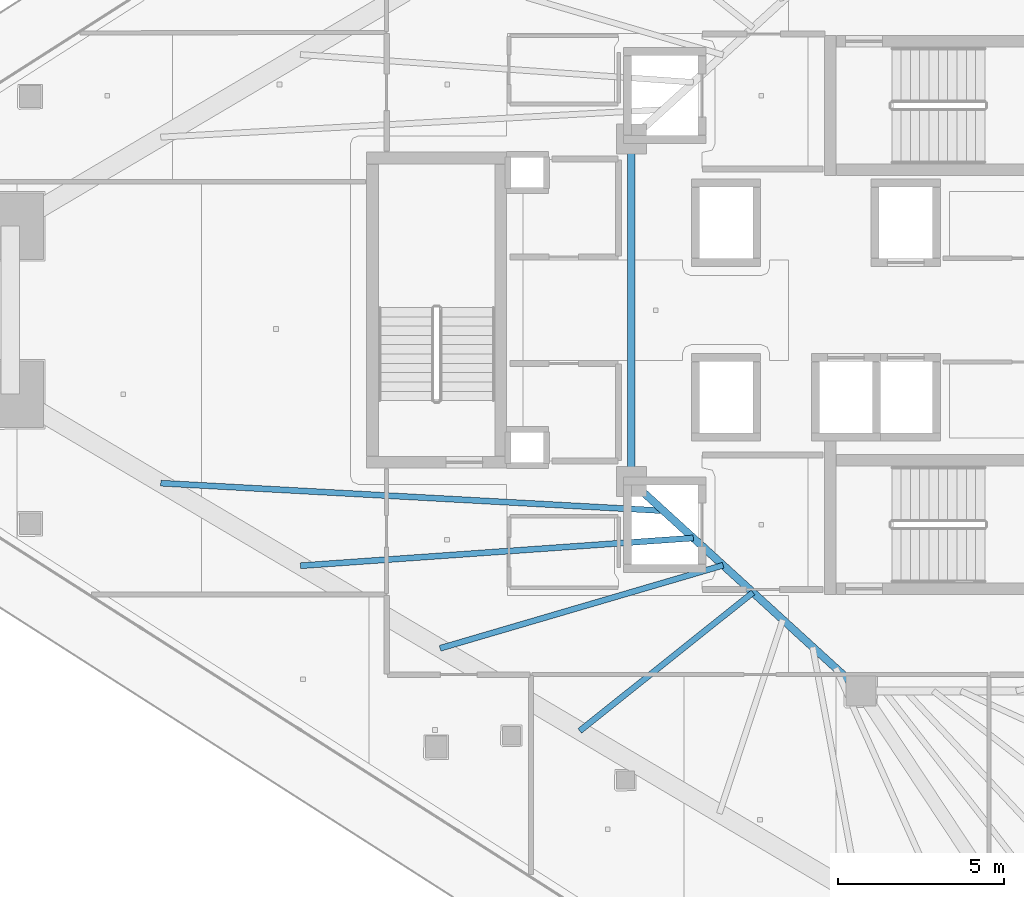
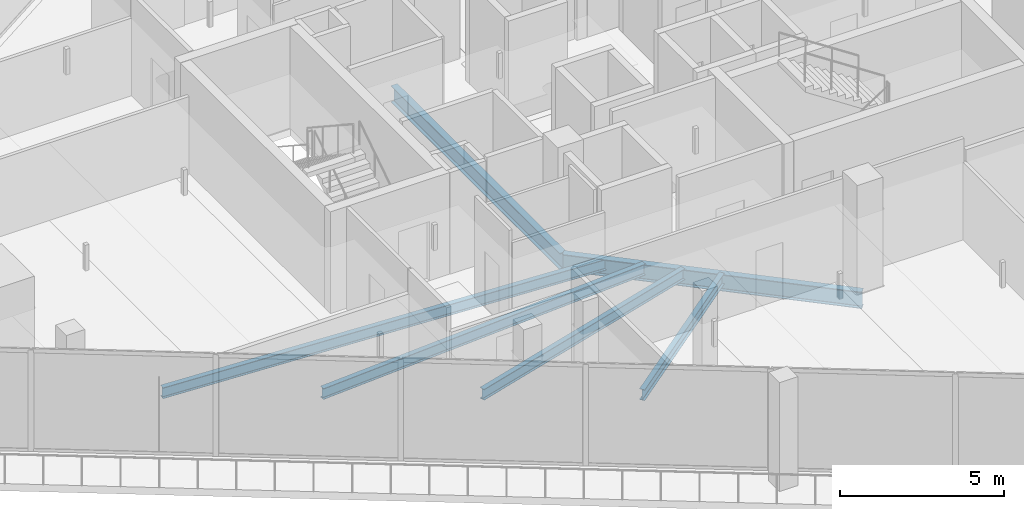
# One storey, part 8 of 37: 6 beams.
"""IFC4 building model written with IfcOpenShell, lengths in metres."""

from ifc_helpers import new_model, si_unit, direction, frame, origin, origin_2d, place, context, subcontext, project, spatial, i_section, extrude, material, material_profile, profile_set, type_object, element, save


model = new_model("IFC4")

# Units and contexts
model_context = context("Model", 3, precision=1e-05, world=origin(), true_north=direction((0.0, 1.0)))
body_context = subcontext(model_context, "Body", "Model", "MODEL_VIEW")
ifc_project = project(units=[si_unit("LENGTHUNIT", "METRE"), si_unit("AREAUNIT", "SQUARE_METRE"), si_unit("VOLUMEUNIT", "CUBIC_METRE"), si_unit("PLANEANGLEUNIT", "RADIAN"), si_unit("MASSUNIT", "GRAM", prefix="KILO")], contexts=[model_context])

# Site, building, storey
site_placement = place(None, origin())
site = spatial("IfcSite", under=ifc_project, at=site_placement, CompositionType="ELEMENT")
building_placement = place(site_placement, origin())
building = spatial("IfcBuilding", under=site, at=building_placement, Name="Qorvath Tower", CompositionType="ELEMENT")
storey_placement = place(building_placement, frame((0.0, 0.0, 196.949951171875)))
storey = spatial("IfcBuildingStorey", under=building, at=storey_placement, Name="L45", CompositionType="ELEMENT", Elevation=196.949951171875)

# Beams
ifc_material_1 = material(Name="Steel ASTM A992 Grade 50", Category="steel")
ifc_material_profile_1 = material_profile(ifc_material_1, i_section(OverallWidth=0.22998046875, OverallDepth=0.616943359375, WebThickness=0.01318359375, FlangeThickness=0.022216796875, FilletRadius=0.014892578125, at=origin_2d()), Name="W24x94")
ifc_profile_set_1 = profile_set([ifc_material_profile_1], Name="Steel ASTM A992 Grade 50")
beam_type_1 = type_object("IfcBeamType", Name="BM-FG6", PredefinedType="BEAM", material=ifc_profile_set_1)
beam_1_placement = place(storey_placement, frame((-23.60009765625, -11.449951171875, -0.57861328125), z_axis=(-0.73847813985, 0.6742774184, 0.0), x_axis=(-0.6742774184, -0.73847813985, 0.0)))
element("IfcBeam", 1, at=beam_1_placement, inside=storey, type_object=beam_type_1, Name="Core Ring Girder CC4-CC6 L45", PredefinedType="BEAM", context=body_context, shape_type="SweptSolid", body=[
    extrude(i_section(OverallWidth=0.22998046875, OverallDepth=0.616943359375, WebThickness=0.01318359375, FlangeThickness=0.022216796875, FilletRadius=0.014892578125, at=origin_2d()), origin(), (0.0, 0.0, 1.0), 9.343505859375),
])
beam_2_placement = place(storey_placement, frame((-30.5, -5.14990234375, -0.57861328125), z_axis=(0.0, 1.0, 0.0), x_axis=(-1.0, 0.0, 0.0)))
element("IfcBeam", 2, at=beam_2_placement, inside=storey, type_object=beam_type_1, Name="Core Ring Girder CC6-CC5 L45", PredefinedType="BEAM", context=body_context, shape_type="SweptSolid", body=[
    extrude(i_section(OverallWidth=0.22998046875, OverallDepth=0.616943359375, WebThickness=0.01318359375, FlangeThickness=0.022216796875, FilletRadius=0.014892578125, at=origin_2d()), origin(), (0.0, 0.0, 1.0), 10.2998046875),
])
ifc_material_2 = material(Name="Steel ASTM A992 Grade 50", Category="steel")
ifc_material_profile_2 = material_profile(ifc_material_2, i_section(OverallWidth=0.177978515625, OverallDepth=0.406005859375, WebThickness=0.0078125, FlangeThickness=0.0126953125, FilletRadius=0.010986328125, at=origin_2d()), Name="W16x40")
ifc_profile_set_2 = profile_set([ifc_material_profile_2], Name="Steel ASTM A992 Grade 50")
beam_type_2 = type_object("IfcBeamType", Name="BM-FJ3", PredefinedType="JOIST", material=ifc_profile_set_2)
beam_3_placement = place(storey_placement, frame((-29.533935546875, -6.031982421875, -0.47314453125), z_axis=(-0.998494745044, 0.054847462293, 0.0), x_axis=(-0.054847462293, -0.998494745044, 0.0)))
element("IfcBeam", 3, at=beam_3_placement, inside=storey, type_object=beam_type_2, Name="Composite Floor Joist SW1 L45", PredefinedType="JOIST", context=body_context, shape_type="SweptSolid", body=[
    extrude(i_section(OverallWidth=0.177978515625, OverallDepth=0.406005859375, WebThickness=0.0078125, FlangeThickness=0.0126953125, FilletRadius=0.010986328125, at=origin_2d()), origin(), (0.0, 0.0, 1.0), 15.138671875),
])
beam_4_placement = place(storey_placement, frame((-28.636962890625, -6.85107421875, -0.47314453125), z_axis=(-0.997520476731, -0.070376832146, 0.0), x_axis=(0.070376832146, -0.997520476731, 0.0)))
element("IfcBeam", 4, at=beam_4_placement, inside=storey, type_object=beam_type_2, Name="Composite Floor Joist SW2 L45", PredefinedType="JOIST", context=body_context, shape_type="SweptSolid", body=[
    extrude(i_section(OverallWidth=0.177978515625, OverallDepth=0.406005859375, WebThickness=0.0078125, FlangeThickness=0.0126953125, FilletRadius=0.010986328125, at=origin_2d()), origin(), (0.0, 0.0, 1.0), 11.84326171875),
])
beam_5_placement = place(storey_placement, frame((-27.739990234375, -7.669921875, -0.47314453125), z_axis=(-0.959544992264, -0.281555337049, 0.0), x_axis=(0.281555337049, -0.959544992264, 0.0)))
element("IfcBeam", 5, at=beam_5_placement, inside=storey, type_object=beam_type_2, Name="Composite Floor Joist SW3 L45", PredefinedType="JOIST", context=body_context, shape_type="SweptSolid", body=[
    extrude(i_section(OverallWidth=0.177978515625, OverallDepth=0.406005859375, WebThickness=0.0078125, FlangeThickness=0.0126953125, FilletRadius=0.010986328125, at=origin_2d()), origin(), (0.0, 0.0, 1.0), 8.87060546875),
])
beam_6_placement = place(storey_placement, frame((-26.843017578125, -8.489013671875, -0.47314453125), z_axis=(-0.781336553339, -0.624109918537, 0.0), x_axis=(0.624109918537, -0.781336553339, 0.0)))
element("IfcBeam", 6, at=beam_6_placement, inside=storey, type_object=beam_type_2, Name="Composite Floor Joist SW4 L45", PredefinedType="JOIST", context=body_context, shape_type="SweptSolid", body=[
    extrude(i_section(OverallWidth=0.177978515625, OverallDepth=0.406005859375, WebThickness=0.0078125, FlangeThickness=0.0126953125, FilletRadius=0.010986328125, at=origin_2d()), origin(), (0.0, 0.0, 1.0), 6.667724609375),
])

save(model, "model.ifc")
